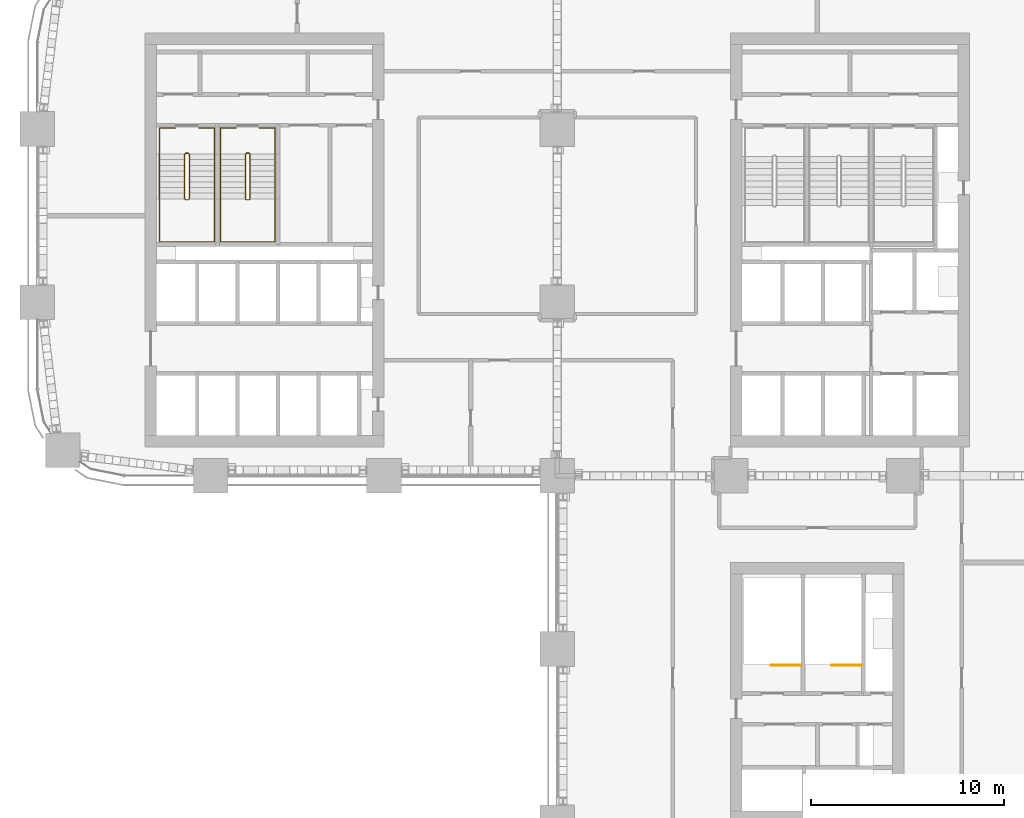
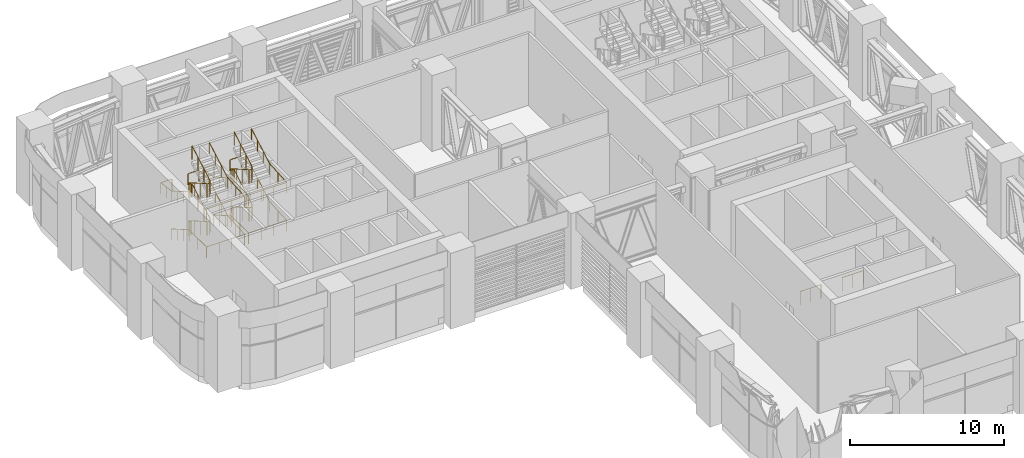
# One storey, part 22 of 24: 8 railings.
"""IFC4 building model written with IfcOpenShell, lengths in metres."""

from ifc_helpers import new_model, si_unit, direction, frame, origin, origin_2d, place, context, subcontext, project, spatial, circle, extrude, material, type_object, element, save


model = new_model("IFC4")

# Units and contexts
model_context = context("Model", 3, precision=1e-05, world=origin(), true_north=direction((0.0, 1.0)))
body_context = subcontext(model_context, "Body", "Model", "MODEL_VIEW")
ifc_project = project(units=[si_unit("LENGTHUNIT", "METRE"), si_unit("AREAUNIT", "SQUARE_METRE"), si_unit("VOLUMEUNIT", "CUBIC_METRE"), si_unit("PLANEANGLEUNIT", "RADIAN"), si_unit("MASSUNIT", "GRAM", prefix="KILO")], contexts=[model_context])

# Site, building, storey
site_placement = place(None, origin())
site = spatial("IfcSite", under=ifc_project, at=site_placement, CompositionType="ELEMENT")
building_placement = place(site_placement, origin())
building = spatial("IfcBuilding", under=site, at=building_placement, Name="Tessera Arch", CompositionType="ELEMENT")
storey_placement = place(building_placement, frame((0.0, 0.0, 123.39990234375)))
storey = spatial("IfcBuildingStorey", under=building, at=storey_placement, Name="L29", CompositionType="ELEMENT", Elevation=123.39990234375)

# Railings
ifc_material_1 = material(Name="Painted steel balustrade", Category="steel")
railing_type_1 = type_object("IfcRailingType", Name="Stair guard 1100", PredefinedType="GUARDRAIL", material=ifc_material_1)
railing_1_placement = place(storey_placement, frame((7.699951171875, 43.75, 0.0)))
element("IfcRailing", 1, at=railing_1_placement, inside=storey, type_object=railing_type_1, Name="L29 S2a stair guard 1", PredefinedType="GUARDRAIL", context=body_context, shape_type="SweptSolid", body=[
    extrude(circle(Radius=0.02392578125, at=origin_2d()), frame((-0.00390625, 0.0, 1.076171875), z_axis=(1.0, 0.0, 0.0), x_axis=(0.0, 1.0, 0.0)), (0.0, 0.0, 1.0), 0.158203125),
    extrude(circle(Radius=0.02392578125, at=origin_2d()), frame((0.153076171875, 0.000732421875, 1.073486328125), z_axis=(-0.75457900375, -0.188644750937, 0.628509097026), x_axis=(0.242535625036, -0.970142500145, 0.0)), (0.0, 0.0, 1.0), 0.273193359375),
    extrude(circle(Radius=0.02392578125, at=origin_2d()), frame((-0.050048828125, -0.046630859375, 1.24072265625), z_axis=(0.0, -0.867033425039, 0.498249977285), x_axis=(1.0, 0.0, 0.0)), (0.0, 0.0, 1.0), 2.683837890625),
    extrude(circle(Radius=0.02392578125, at=origin_2d()), frame((-0.052978515625, -2.3671875, 2.576171875), z_axis=(0.708833529934, -0.705375805398, 0.0), x_axis=(0.705375805398, 0.708833529934, 0.0)), (0.0, 0.0, 1.0), 0.07861328125),
    extrude(circle(Radius=0.02392578125, at=origin_2d()), frame((-0.00390625, -2.419921875, 2.576171875), z_axis=(1.0, 0.0, 0.0), x_axis=(0.0, 1.0, 0.0)), (0.0, 0.0, 1.0), 0.158203125),
    extrude(circle(Radius=0.02392578125, at=origin_2d()), frame((0.14892578125, -2.421142578125, 2.572265625), z_axis=(0.275143339093, 0.275143339093, 0.92119068922), x_axis=(-0.707106781187, 0.707106781187, 0.0)), (0.0, 0.0, 1.0), 0.18896484375),
    extrude(circle(Radius=0.02392578125, at=origin_2d()), frame((0.199951171875, -2.37353515625, 2.74072265625), z_axis=(0.0, 0.867033425039, 0.498249977285), x_axis=(-1.0, 0.0, 0.0)), (0.0, 0.0, 1.0), 2.683837890625),
    extrude(circle(Radius=0.02392578125, at=origin_2d()), frame((0.203857421875, -0.051025390625, 4.076171875), z_axis=(-0.970072785993, 0.242814311512, 0.0), x_axis=(-0.242814311512, -0.970072785993, 0.0)), (0.0, 0.0, 1.0), 0.214111328125),
    extrude(circle(Radius=0.02392578125, at=origin_2d()), frame((-0.00390625, 0.0, 4.076171875), z_axis=(1.0, 0.0, 0.0), x_axis=(0.0, 1.0, 0.0)), (0.0, 0.0, 1.0), 0.158203125),
    extrude(circle(Radius=0.02392578125, at=origin_2d()), frame((0.153076171875, 0.000732421875, 4.073486328125), z_axis=(-0.75457900375, -0.188644750937, 0.628509097026), x_axis=(0.242535625036, -0.970142500145, 0.0)), (0.0, 0.0, 1.0), 0.273193359375),
    extrude(circle(Radius=0.02392578125, at=origin_2d()), frame((-0.050048828125, -0.046630859375, 4.24072265625), z_axis=(0.0, -0.867033425039, 0.498249977285), x_axis=(1.0, 0.0, 0.0)), (0.0, 0.0, 1.0), 2.683837890625),
    extrude(circle(Radius=0.02392578125, at=origin_2d()), frame((-0.052978515625, -2.3671875, 5.576171875), z_axis=(0.708833529934, -0.705375805398, 0.0), x_axis=(0.705375805398, 0.708833529934, 0.0)), (0.0, 0.0, 1.0), 0.07861328125),
    extrude(circle(Radius=0.02392578125, at=origin_2d()), frame((-0.00390625, -2.419921875, 5.576171875), z_axis=(1.0, 0.0, 0.0), x_axis=(0.0, 1.0, 0.0)), (0.0, 0.0, 1.0), 0.158203125),
    extrude(circle(Radius=0.02392578125, at=origin_2d()), frame((0.14892578125, -2.421142578125, 5.572265625), z_axis=(0.275143339093, 0.275143339093, 0.92119068922), x_axis=(-0.707106781187, 0.707106781187, 0.0)), (0.0, 0.0, 1.0), 0.18896484375),
    extrude(circle(Radius=0.02392578125, at=origin_2d()), frame((0.199951171875, -2.37353515625, 5.74072265625), z_axis=(0.0, 0.867033425039, 0.498249977285), x_axis=(-1.0, 0.0, 0.0)), (0.0, 0.0, 1.0), 2.683837890625),
    extrude(circle(Radius=0.02099609375, at=origin_2d()), origin(), (0.0, 0.0, 1.0), 1.06396484375),
    extrude(circle(Radius=0.02099609375, at=origin_2d()), frame((0.150146484375, 0.0, 0.0)), (0.0, 0.0, 1.0), 1.06396484375),
    extrude(circle(Radius=0.02099609375, at=origin_2d()), frame((-0.050048828125, -0.050048828125, 0.166748046875)), (0.0, 0.0, 1.0), 1.06396484375),
    extrude(circle(Radius=0.02099609375, at=origin_2d()), frame((-0.050048828125, -0.823486328125, 0.611083984375)), (0.0, 0.0, 1.0), 1.06396484375),
    extrude(circle(Radius=0.02099609375, at=origin_2d()), frame((-0.050048828125, -1.5966796875, 1.0556640625)), (0.0, 0.0, 1.0), 1.06396484375),
    extrude(circle(Radius=0.02099609375, at=origin_2d()), frame((-0.050048828125, -2.3701171875, 1.5)), (0.0, 0.0, 1.0), 1.06396484375),
    extrude(circle(Radius=0.02099609375, at=origin_2d()), frame((0.0, -2.419921875, 1.5)), (0.0, 0.0, 1.0), 1.06396484375),
    extrude(circle(Radius=0.02099609375, at=origin_2d()), frame((0.150146484375, -2.419921875, 1.5)), (0.0, 0.0, 1.0), 1.06396484375),
    extrude(circle(Radius=0.02099609375, at=origin_2d()), frame((0.199951171875, -2.3701171875, 1.666748046875)), (0.0, 0.0, 1.0), 1.06396484375),
    extrude(circle(Radius=0.02099609375, at=origin_2d()), frame((0.199951171875, -1.5966796875, 2.111083984375)), (0.0, 0.0, 1.0), 1.06396484375),
    extrude(circle(Radius=0.02099609375, at=origin_2d()), frame((0.199951171875, -0.823486328125, 2.5556640625)), (0.0, 0.0, 1.0), 1.06396484375),
    extrude(circle(Radius=0.02099609375, at=origin_2d()), frame((0.199951171875, -0.050048828125, 3.0)), (0.0, 0.0, 1.0), 1.06396484375),
    extrude(circle(Radius=0.02099609375, at=origin_2d()), frame((0.0, 0.0, 3.0)), (0.0, 0.0, 1.0), 1.06396484375),
    extrude(circle(Radius=0.02099609375, at=origin_2d()), frame((0.150146484375, 0.0, 3.0)), (0.0, 0.0, 1.0), 1.06396484375),
    extrude(circle(Radius=0.02099609375, at=origin_2d()), frame((-0.050048828125, -0.050048828125, 3.166748046875)), (0.0, 0.0, 1.0), 1.06396484375),
    extrude(circle(Radius=0.02099609375, at=origin_2d()), frame((-0.050048828125, -0.823486328125, 3.611083984375)), (0.0, 0.0, 1.0), 1.06396484375),
    extrude(circle(Radius=0.02099609375, at=origin_2d()), frame((-0.050048828125, -1.5966796875, 4.0556640625)), (0.0, 0.0, 1.0), 1.06396484375),
    extrude(circle(Radius=0.02099609375, at=origin_2d()), frame((-0.050048828125, -2.3701171875, 4.5)), (0.0, 0.0, 1.0), 1.06396484375),
    extrude(circle(Radius=0.02099609375, at=origin_2d()), frame((0.0, -2.419921875, 4.5)), (0.0, 0.0, 1.0), 1.06396484375),
    extrude(circle(Radius=0.02099609375, at=origin_2d()), frame((0.150146484375, -2.419921875, 4.5)), (0.0, 0.0, 1.0), 1.06396484375),
    extrude(circle(Radius=0.02099609375, at=origin_2d()), frame((0.199951171875, -2.3701171875, 4.666748046875)), (0.0, 0.0, 1.0), 1.06396484375),
    extrude(circle(Radius=0.02099609375, at=origin_2d()), frame((0.199951171875, -1.5966796875, 5.111083984375)), (0.0, 0.0, 1.0), 1.06396484375),
    extrude(circle(Radius=0.02099609375, at=origin_2d()), frame((0.199951171875, -0.823486328125, 5.5556640625)), (0.0, 0.0, 1.0), 1.06396484375),
    extrude(circle(Radius=0.02099609375, at=origin_2d()), frame((0.199951171875, -0.050048828125, 6.0)), (0.0, 0.0, 1.0), 1.06396484375),
])
railing_2_placement = place(storey_placement, frame((10.85009765625, 43.75, 0.0)))
element("IfcRailing", 2, at=railing_2_placement, inside=storey, type_object=railing_type_1, Name="L29 S2b stair guard 1", PredefinedType="GUARDRAIL", context=body_context, shape_type="SweptSolid", body=[
    extrude(circle(Radius=0.02392578125, at=origin_2d()), frame((-0.00390625, 0.0, 1.076171875), z_axis=(1.0, 0.0, 0.0), x_axis=(0.0, 1.0, 0.0)), (0.0, 0.0, 1.0), 0.157958984375),
    extrude(circle(Radius=0.02392578125, at=origin_2d()), frame((0.15283203125, 0.000732421875, 1.073486328125), z_axis=(-0.754182335027, -0.188775798145, 0.628945707965), x_axis=(0.242814311512, -0.970072785993, 0.0)), (0.0, 0.0, 1.0), 0.273193359375),
    extrude(circle(Radius=0.02392578125, at=origin_2d()), frame((-0.050048828125, -0.046630859375, 1.24072265625), z_axis=(0.0, -0.867033425039, 0.498249977285), x_axis=(1.0, 0.0, 0.0)), (0.0, 0.0, 1.0), 2.683837890625),
    extrude(circle(Radius=0.02392578125, at=origin_2d()), frame((-0.052978515625, -2.3671875, 2.576171875), z_axis=(0.708833529934, -0.705375805398, 0.0), x_axis=(0.705375805398, 0.708833529934, 0.0)), (0.0, 0.0, 1.0), 0.07861328125),
    extrude(circle(Radius=0.02392578125, at=origin_2d()), frame((-0.00390625, -2.419921875, 2.576171875), z_axis=(1.0, 0.0, 0.0), x_axis=(0.0, 1.0, 0.0)), (0.0, 0.0, 1.0), 0.157958984375),
    extrude(circle(Radius=0.02392578125, at=origin_2d()), frame((0.148681640625, -2.421142578125, 2.572265625), z_axis=(0.276389281352, 0.275041040955, 0.920848191041), x_axis=(-0.705375805398, 0.708833529934, 0.0)), (0.0, 0.0, 1.0), 0.18896484375),
    extrude(circle(Radius=0.02392578125, at=origin_2d()), frame((0.199951171875, -2.37353515625, 2.74072265625), z_axis=(0.0, 0.867033425039, 0.498249977285), x_axis=(-1.0, 0.0, 0.0)), (0.0, 0.0, 1.0), 2.683837890625),
    extrude(circle(Radius=0.02392578125, at=origin_2d()), frame((0.203857421875, -0.051025390625, 4.076171875), z_axis=(-0.970072785993, 0.242814311512, 0.0), x_axis=(-0.242814311512, -0.970072785993, 0.0)), (0.0, 0.0, 1.0), 0.214111328125),
    extrude(circle(Radius=0.02392578125, at=origin_2d()), frame((-0.00390625, 0.0, 4.076171875), z_axis=(1.0, 0.0, 0.0), x_axis=(0.0, 1.0, 0.0)), (0.0, 0.0, 1.0), 0.157958984375),
    extrude(circle(Radius=0.02392578125, at=origin_2d()), frame((0.15283203125, 0.000732421875, 4.073486328125), z_axis=(-0.754182335027, -0.188775798145, 0.628945707965), x_axis=(0.242814311512, -0.970072785993, 0.0)), (0.0, 0.0, 1.0), 0.273193359375),
    extrude(circle(Radius=0.02392578125, at=origin_2d()), frame((-0.050048828125, -0.046630859375, 4.24072265625), z_axis=(0.0, -0.867033425039, 0.498249977285), x_axis=(1.0, 0.0, 0.0)), (0.0, 0.0, 1.0), 2.683837890625),
    extrude(circle(Radius=0.02392578125, at=origin_2d()), frame((-0.052978515625, -2.3671875, 5.576171875), z_axis=(0.708833529934, -0.705375805398, 0.0), x_axis=(0.705375805398, 0.708833529934, 0.0)), (0.0, 0.0, 1.0), 0.07861328125),
    extrude(circle(Radius=0.02392578125, at=origin_2d()), frame((-0.00390625, -2.419921875, 5.576171875), z_axis=(1.0, 0.0, 0.0), x_axis=(0.0, 1.0, 0.0)), (0.0, 0.0, 1.0), 0.157958984375),
    extrude(circle(Radius=0.02392578125, at=origin_2d()), frame((0.148681640625, -2.421142578125, 5.572265625), z_axis=(0.276389281352, 0.275041040955, 0.920848191041), x_axis=(-0.705375805398, 0.708833529934, 0.0)), (0.0, 0.0, 1.0), 0.18896484375),
    extrude(circle(Radius=0.02392578125, at=origin_2d()), frame((0.199951171875, -2.37353515625, 5.74072265625), z_axis=(0.0, 0.867033425039, 0.498249977285), x_axis=(-1.0, 0.0, 0.0)), (0.0, 0.0, 1.0), 2.683837890625),
    extrude(circle(Radius=0.02099609375, at=origin_2d()), origin(), (0.0, 0.0, 1.0), 1.06396484375),
    extrude(circle(Radius=0.02099609375, at=origin_2d()), frame((0.14990234375, 0.0, 0.0)), (0.0, 0.0, 1.0), 1.06396484375),
    extrude(circle(Radius=0.02099609375, at=origin_2d()), frame((-0.050048828125, -0.050048828125, 0.166748046875)), (0.0, 0.0, 1.0), 1.06396484375),
    extrude(circle(Radius=0.02099609375, at=origin_2d()), frame((-0.050048828125, -0.823486328125, 0.611083984375)), (0.0, 0.0, 1.0), 1.06396484375),
    extrude(circle(Radius=0.02099609375, at=origin_2d()), frame((-0.050048828125, -1.5966796875, 1.0556640625)), (0.0, 0.0, 1.0), 1.06396484375),
    extrude(circle(Radius=0.02099609375, at=origin_2d()), frame((-0.050048828125, -2.3701171875, 1.5)), (0.0, 0.0, 1.0), 1.06396484375),
    extrude(circle(Radius=0.02099609375, at=origin_2d()), frame((0.0, -2.419921875, 1.5)), (0.0, 0.0, 1.0), 1.06396484375),
    extrude(circle(Radius=0.02099609375, at=origin_2d()), frame((0.14990234375, -2.419921875, 1.5)), (0.0, 0.0, 1.0), 1.06396484375),
    extrude(circle(Radius=0.02099609375, at=origin_2d()), frame((0.199951171875, -2.3701171875, 1.666748046875)), (0.0, 0.0, 1.0), 1.06396484375),
    extrude(circle(Radius=0.02099609375, at=origin_2d()), frame((0.199951171875, -1.5966796875, 2.111083984375)), (0.0, 0.0, 1.0), 1.06396484375),
    extrude(circle(Radius=0.02099609375, at=origin_2d()), frame((0.199951171875, -0.823486328125, 2.5556640625)), (0.0, 0.0, 1.0), 1.06396484375),
    extrude(circle(Radius=0.02099609375, at=origin_2d()), frame((0.199951171875, -0.050048828125, 3.0)), (0.0, 0.0, 1.0), 1.06396484375),
    extrude(circle(Radius=0.02099609375, at=origin_2d()), frame((0.0, 0.0, 3.0)), (0.0, 0.0, 1.0), 1.06396484375),
    extrude(circle(Radius=0.02099609375, at=origin_2d()), frame((0.14990234375, 0.0, 3.0)), (0.0, 0.0, 1.0), 1.06396484375),
    extrude(circle(Radius=0.02099609375, at=origin_2d()), frame((-0.050048828125, -0.050048828125, 3.166748046875)), (0.0, 0.0, 1.0), 1.06396484375),
    extrude(circle(Radius=0.02099609375, at=origin_2d()), frame((-0.050048828125, -0.823486328125, 3.611083984375)), (0.0, 0.0, 1.0), 1.06396484375),
    extrude(circle(Radius=0.02099609375, at=origin_2d()), frame((-0.050048828125, -1.5966796875, 4.0556640625)), (0.0, 0.0, 1.0), 1.06396484375),
    extrude(circle(Radius=0.02099609375, at=origin_2d()), frame((-0.050048828125, -2.3701171875, 4.5)), (0.0, 0.0, 1.0), 1.06396484375),
    extrude(circle(Radius=0.02099609375, at=origin_2d()), frame((0.0, -2.419921875, 4.5)), (0.0, 0.0, 1.0), 1.06396484375),
    extrude(circle(Radius=0.02099609375, at=origin_2d()), frame((0.14990234375, -2.419921875, 4.5)), (0.0, 0.0, 1.0), 1.06396484375),
    extrude(circle(Radius=0.02099609375, at=origin_2d()), frame((0.199951171875, -2.3701171875, 4.666748046875)), (0.0, 0.0, 1.0), 1.06396484375),
    extrude(circle(Radius=0.02099609375, at=origin_2d()), frame((0.199951171875, -1.5966796875, 5.111083984375)), (0.0, 0.0, 1.0), 1.06396484375),
    extrude(circle(Radius=0.02099609375, at=origin_2d()), frame((0.199951171875, -0.823486328125, 5.5556640625)), (0.0, 0.0, 1.0), 1.06396484375),
    extrude(circle(Radius=0.02099609375, at=origin_2d()), frame((0.199951171875, -0.050048828125, 6.0)), (0.0, 0.0, 1.0), 1.06396484375),
])
railing_3_placement = place(storey_placement, frame((39.64990234375, 17.14990234375, 0.0)))
element("IfcRailing", 3, at=railing_3_placement, inside=storey, type_object=railing_type_1, Name="L29 S3a top well guard 1", PredefinedType="GUARDRAIL", context=body_context, shape_type="SweptSolid", body=[
    extrude(circle(Radius=0.02392578125, at=origin_2d()), frame((0.00390625, 0.0, 1.076171875), z_axis=(-1.0, 0.0, 0.0), x_axis=(0.0, -1.0, 0.0)), (0.0, 0.0, 1.0), 1.557861328125),
    extrude(circle(Radius=0.02099609375, at=origin_2d()), origin(), (0.0, 0.0, 1.0), 1.06396484375),
    extrude(circle(Radius=0.02099609375, at=origin_2d()), frame((-0.77490234375, 0.0, 0.0)), (0.0, 0.0, 1.0), 1.06396484375),
    extrude(circle(Radius=0.02099609375, at=origin_2d()), frame((-1.5498046875, 0.0, 0.0)), (0.0, 0.0, 1.0), 1.06396484375),
])
railing_4_placement = place(storey_placement, frame((42.800048828125, 17.14990234375, 0.0)))
element("IfcRailing", 4, at=railing_4_placement, inside=storey, type_object=railing_type_1, Name="L29 S3b top well guard 1", PredefinedType="GUARDRAIL", context=body_context, shape_type="SweptSolid", body=[
    extrude(circle(Radius=0.02392578125, at=origin_2d()), frame((0.00390625, 0.0, 1.076171875), z_axis=(-1.0, 0.0, 0.0), x_axis=(0.0, -1.0, 0.0)), (0.0, 0.0, 1.0), 1.55810546875),
    extrude(circle(Radius=0.02099609375, at=origin_2d()), origin(), (0.0, 0.0, 1.0), 1.06396484375),
    extrude(circle(Radius=0.02099609375, at=origin_2d()), frame((-0.77490234375, 0.0, 0.0)), (0.0, 0.0, 1.0), 1.06396484375),
    extrude(circle(Radius=0.02099609375, at=origin_2d()), frame((-1.550048828125, 0.0, 0.0)), (0.0, 0.0, 1.0), 1.06396484375),
])
ifc_material_2 = material(Name="Painted steel handrail", Category="steel")
railing_type_2 = type_object("IfcRailingType", Name="Stair handrail 900", PredefinedType="HANDRAIL", material=ifc_material_2)
railing_5_placement = place(storey_placement, frame((6.35009765625, 43.699951171875, 0.166748046875)))
element("IfcRailing", 5, at=railing_5_placement, inside=storey, type_object=railing_type_2, Name="L29 S2a stair handrail", PredefinedType="HANDRAIL", context=body_context, shape_type="SweptSolid", body=[
    extrude(circle(Radius=0.02392578125, at=origin_2d()), frame((0.0, 0.00341796875, 0.873779296875), z_axis=(0.0, -0.867033425039, 0.498249977285), x_axis=(1.0, 0.0, 0.0)), (0.0, 0.0, 1.0), 2.683837890625),
    extrude(circle(Radius=0.02392578125, at=origin_2d()), frame((0.0, -2.316162109375, 2.208984375), z_axis=(0.0, -1.0, 0.0), x_axis=(1.0, 0.0, 0.0)), (0.0, 0.0, 1.0), 2.238037109375),
    extrude(circle(Radius=0.02392578125, at=origin_2d()), frame((-0.00390625, -4.550048828125, 2.208984375), z_axis=(1.0, 0.0, 0.0), x_axis=(0.0, 1.0, 0.0)), (0.0, 0.0, 1.0), 2.85791015625),
    extrude(circle(Radius=0.02392578125, at=origin_2d()), frame((2.849853515625, -4.553955078125, 2.208740234375), z_axis=(0.0, 0.997215977011, 0.074567386939), x_axis=(-1.0, 0.0, 0.0)), (0.0, 0.0, 1.0), 2.244140625),
    extrude(circle(Radius=0.02392578125, at=origin_2d()), frame((2.849853515625, -2.323486328125, 2.373779296875), z_axis=(0.0, 0.867033425039, 0.498249977285), x_axis=(-1.0, 0.0, 0.0)), (0.0, 0.0, 1.0), 2.683837890625),
    extrude(circle(Radius=0.02392578125, at=origin_2d()), frame((2.849853515625, -0.00390625, 3.708984375), z_axis=(0.0, 1.0, 0.0), x_axis=(-1.0, 0.0, 0.0)), (0.0, 0.0, 1.0), 1.358154296875),
    extrude(circle(Radius=0.02392578125, at=origin_2d()), frame((2.853759765625, 1.35009765625, 3.708984375), z_axis=(-1.0, 0.0, 0.0), x_axis=(0.0, -1.0, 0.0)), (0.0, 0.0, 1.0), 0.8330078125),
    extrude(circle(Radius=0.02099609375, at=origin_2d()), origin(), (0.0, 0.0, 1.0), 0.86376953125),
    extrude(circle(Radius=0.02099609375, at=origin_2d()), frame((0.0, -0.7734375, 0.4443359375)), (0.0, 0.0, 1.0), 0.86376953125),
    extrude(circle(Radius=0.02099609375, at=origin_2d()), frame((0.0, -1.546630859375, 0.888916015625)), (0.0, 0.0, 1.0), 0.86376953125),
    extrude(circle(Radius=0.02099609375, at=origin_2d()), frame((0.0, -2.320068359375, 1.333251953125)), (0.0, 0.0, 1.0), 0.86376953125),
    extrude(circle(Radius=0.02099609375, at=origin_2d()), frame((0.0, -3.43505859375, 1.333251953125)), (0.0, 0.0, 1.0), 0.86376953125),
    extrude(circle(Radius=0.02099609375, at=origin_2d()), frame((0.0, -4.550048828125, 1.333251953125)), (0.0, 0.0, 1.0), 0.86376953125),
    extrude(circle(Radius=0.02099609375, at=origin_2d()), frame((0.949951171875, -4.550048828125, 1.333251953125)), (0.0, 0.0, 1.0), 0.86376953125),
    extrude(circle(Radius=0.02099609375, at=origin_2d()), frame((1.89990234375, -4.550048828125, 1.333251953125)), (0.0, 0.0, 1.0), 0.86376953125),
    extrude(circle(Radius=0.02099609375, at=origin_2d()), frame((2.849853515625, -4.550048828125, 1.333251953125)), (0.0, 0.0, 1.0), 0.86376953125),
    extrude(circle(Radius=0.02099609375, at=origin_2d()), frame((2.849853515625, -3.43505859375, 1.41650390625)), (0.0, 0.0, 1.0), 0.86376953125),
    extrude(circle(Radius=0.02099609375, at=origin_2d()), frame((2.849853515625, -2.320068359375, 1.5)), (0.0, 0.0, 1.0), 0.86376953125),
    extrude(circle(Radius=0.02099609375, at=origin_2d()), frame((2.849853515625, -1.546630859375, 1.9443359375)), (0.0, 0.0, 1.0), 0.86376953125),
    extrude(circle(Radius=0.02099609375, at=origin_2d()), frame((2.849853515625, -0.7734375, 2.388916015625)), (0.0, 0.0, 1.0), 0.86376953125),
    extrude(circle(Radius=0.02099609375, at=origin_2d()), frame((2.849853515625, 0.0, 2.833251953125)), (0.0, 0.0, 1.0), 0.86376953125),
    extrude(circle(Radius=0.02099609375, at=origin_2d()), frame((2.849853515625, 0.675048828125, 2.833251953125)), (0.0, 0.0, 1.0), 0.86376953125),
    extrude(circle(Radius=0.02099609375, at=origin_2d()), frame((2.849853515625, 1.35009765625, 2.833251953125)), (0.0, 0.0, 1.0), 0.86376953125),
    extrude(circle(Radius=0.02099609375, at=origin_2d()), frame((2.02490234375, 1.35009765625, 2.833251953125)), (0.0, 0.0, 1.0), 0.86376953125),
])
railing_6_placement = place(storey_placement, frame((7.175048828125, 45.050048828125, 3.0)))
element("IfcRailing", 6, at=railing_6_placement, inside=storey, type_object=railing_type_2, Name="L29 S2a stair handrail 2", PredefinedType="HANDRAIL", context=body_context, shape_type="SweptSolid", body=[
    extrude(circle(Radius=0.02392578125, at=origin_2d()), frame((0.00390625, 0.0, 0.8759765625), z_axis=(-1.0, 0.0, 0.0), x_axis=(0.0, -1.0, 0.0)), (0.0, 0.0, 1.0), 0.8330078125),
    extrude(circle(Radius=0.02392578125, at=origin_2d()), frame((-0.824951171875, 0.00390625, 0.875244140625), z_axis=(0.0, -0.992459035033, 0.122576766895), x_axis=(1.0, 0.0, 0.0)), (0.0, 0.0, 1.0), 1.368408203125),
    extrude(circle(Radius=0.02392578125, at=origin_2d()), frame((-0.824951171875, -1.3466796875, 1.04052734375), z_axis=(0.0, -0.867033425039, 0.498249977285), x_axis=(1.0, 0.0, 0.0)), (0.0, 0.0, 1.0), 2.683837890625),
    extrude(circle(Radius=0.02392578125, at=origin_2d()), frame((-0.824951171875, -3.666259765625, 2.3759765625), z_axis=(0.0, -1.0, 0.0), x_axis=(1.0, 0.0, 0.0)), (0.0, 0.0, 1.0), 2.238037109375),
    extrude(circle(Radius=0.02392578125, at=origin_2d()), frame((-0.828857421875, -5.900146484375, 2.3759765625), z_axis=(1.0, 0.0, 0.0), x_axis=(0.0, 1.0, 0.0)), (0.0, 0.0, 1.0), 2.85791015625),
    extrude(circle(Radius=0.02392578125, at=origin_2d()), frame((2.02490234375, -5.904052734375, 2.37548828125), z_axis=(0.0, 0.997215977011, 0.074567386939), x_axis=(-1.0, 0.0, 0.0)), (0.0, 0.0, 1.0), 2.244140625),
    extrude(circle(Radius=0.02392578125, at=origin_2d()), frame((2.02490234375, -3.673583984375, 2.54052734375), z_axis=(0.0, 0.867033425039, 0.498249977285), x_axis=(-1.0, 0.0, 0.0)), (0.0, 0.0, 1.0), 2.683837890625),
    extrude(circle(Radius=0.02099609375, at=origin_2d()), origin(), (0.0, 0.0, 1.0), 0.86376953125),
    extrude(circle(Radius=0.02099609375, at=origin_2d()), frame((-0.824951171875, 0.0, 0.0)), (0.0, 0.0, 1.0), 0.86376953125),
    extrude(circle(Radius=0.02099609375, at=origin_2d()), frame((-0.824951171875, -0.675048828125, 0.08349609375)), (0.0, 0.0, 1.0), 0.86376953125),
    extrude(circle(Radius=0.02099609375, at=origin_2d()), frame((-0.824951171875, -1.35009765625, 0.166748046875)), (0.0, 0.0, 1.0), 0.86376953125),
    extrude(circle(Radius=0.02099609375, at=origin_2d()), frame((-0.824951171875, -2.12353515625, 0.611083984375)), (0.0, 0.0, 1.0), 0.86376953125),
    extrude(circle(Radius=0.02099609375, at=origin_2d()), frame((-0.824951171875, -2.896728515625, 1.0556640625)), (0.0, 0.0, 1.0), 0.86376953125),
    extrude(circle(Radius=0.02099609375, at=origin_2d()), frame((-0.824951171875, -3.670166015625, 1.5)), (0.0, 0.0, 1.0), 0.86376953125),
    extrude(circle(Radius=0.02099609375, at=origin_2d()), frame((-0.824951171875, -4.78515625, 1.5)), (0.0, 0.0, 1.0), 0.86376953125),
    extrude(circle(Radius=0.02099609375, at=origin_2d()), frame((-0.824951171875, -5.900146484375, 1.5)), (0.0, 0.0, 1.0), 0.86376953125),
    extrude(circle(Radius=0.02099609375, at=origin_2d()), frame((0.125, -5.900146484375, 1.5)), (0.0, 0.0, 1.0), 0.86376953125),
    extrude(circle(Radius=0.02099609375, at=origin_2d()), frame((1.074951171875, -5.900146484375, 1.5)), (0.0, 0.0, 1.0), 0.86376953125),
    extrude(circle(Radius=0.02099609375, at=origin_2d()), frame((2.02490234375, -5.900146484375, 1.5)), (0.0, 0.0, 1.0), 0.86376953125),
    extrude(circle(Radius=0.02099609375, at=origin_2d()), frame((2.02490234375, -4.78515625, 1.58349609375)), (0.0, 0.0, 1.0), 0.86376953125),
    extrude(circle(Radius=0.02099609375, at=origin_2d()), frame((2.02490234375, -3.670166015625, 1.666748046875)), (0.0, 0.0, 1.0), 0.86376953125),
    extrude(circle(Radius=0.02099609375, at=origin_2d()), frame((2.02490234375, -2.896728515625, 2.111083984375)), (0.0, 0.0, 1.0), 0.86376953125),
    extrude(circle(Radius=0.02099609375, at=origin_2d()), frame((2.02490234375, -2.12353515625, 2.5556640625)), (0.0, 0.0, 1.0), 0.86376953125),
    extrude(circle(Radius=0.02099609375, at=origin_2d()), frame((2.02490234375, -1.35009765625, 3.0)), (0.0, 0.0, 1.0), 0.86376953125),
])
railing_7_placement = place(storey_placement, frame((9.5, 43.699951171875, 0.166748046875)))
element("IfcRailing", 7, at=railing_7_placement, inside=storey, type_object=railing_type_2, Name="L29 S2b stair handrail", PredefinedType="HANDRAIL", context=body_context, shape_type="SweptSolid", body=[
    extrude(circle(Radius=0.02392578125, at=origin_2d()), frame((0.0, 0.00341796875, 0.873779296875), z_axis=(0.0, -0.867033425039, 0.498249977285), x_axis=(1.0, 0.0, 0.0)), (0.0, 0.0, 1.0), 2.683837890625),
    extrude(circle(Radius=0.02392578125, at=origin_2d()), frame((0.0, -2.316162109375, 2.208984375), z_axis=(0.0, -1.0, 0.0), x_axis=(1.0, 0.0, 0.0)), (0.0, 0.0, 1.0), 2.238037109375),
    extrude(circle(Radius=0.02392578125, at=origin_2d()), frame((-0.00390625, -4.550048828125, 2.208984375), z_axis=(1.0, 0.0, 0.0), x_axis=(0.0, 1.0, 0.0)), (0.0, 0.0, 1.0), 2.858154296875),
    extrude(circle(Radius=0.02392578125, at=origin_2d()), frame((2.85009765625, -4.553955078125, 2.208740234375), z_axis=(0.0, 0.997215977011, 0.074567386939), x_axis=(-1.0, 0.0, 0.0)), (0.0, 0.0, 1.0), 2.244140625),
    extrude(circle(Radius=0.02392578125, at=origin_2d()), frame((2.85009765625, -2.323486328125, 2.373779296875), z_axis=(0.0, 0.867033425039, 0.498249977285), x_axis=(-1.0, 0.0, 0.0)), (0.0, 0.0, 1.0), 2.683837890625),
    extrude(circle(Radius=0.02392578125, at=origin_2d()), frame((2.85009765625, -0.00390625, 3.708984375), z_axis=(0.0, 1.0, 0.0), x_axis=(-1.0, 0.0, 0.0)), (0.0, 0.0, 1.0), 1.358154296875),
    extrude(circle(Radius=0.02392578125, at=origin_2d()), frame((2.85400390625, 1.35009765625, 3.708984375), z_axis=(-1.0, 0.0, 0.0), x_axis=(0.0, -1.0, 0.0)), (0.0, 0.0, 1.0), 0.833251953125),
    extrude(circle(Radius=0.02099609375, at=origin_2d()), origin(), (0.0, 0.0, 1.0), 0.86376953125),
    extrude(circle(Radius=0.02099609375, at=origin_2d()), frame((0.0, -0.7734375, 0.4443359375)), (0.0, 0.0, 1.0), 0.86376953125),
    extrude(circle(Radius=0.02099609375, at=origin_2d()), frame((0.0, -1.546630859375, 0.888916015625)), (0.0, 0.0, 1.0), 0.86376953125),
    extrude(circle(Radius=0.02099609375, at=origin_2d()), frame((0.0, -2.320068359375, 1.333251953125)), (0.0, 0.0, 1.0), 0.86376953125),
    extrude(circle(Radius=0.02099609375, at=origin_2d()), frame((0.0, -3.43505859375, 1.333251953125)), (0.0, 0.0, 1.0), 0.86376953125),
    extrude(circle(Radius=0.02099609375, at=origin_2d()), frame((0.0, -4.550048828125, 1.333251953125)), (0.0, 0.0, 1.0), 0.86376953125),
    extrude(circle(Radius=0.02099609375, at=origin_2d()), frame((0.949951171875, -4.550048828125, 1.333251953125)), (0.0, 0.0, 1.0), 0.86376953125),
    extrude(circle(Radius=0.02099609375, at=origin_2d()), frame((1.900146484375, -4.550048828125, 1.333251953125)), (0.0, 0.0, 1.0), 0.86376953125),
    extrude(circle(Radius=0.02099609375, at=origin_2d()), frame((2.85009765625, -4.550048828125, 1.333251953125)), (0.0, 0.0, 1.0), 0.86376953125),
    extrude(circle(Radius=0.02099609375, at=origin_2d()), frame((2.85009765625, -3.43505859375, 1.41650390625)), (0.0, 0.0, 1.0), 0.86376953125),
    extrude(circle(Radius=0.02099609375, at=origin_2d()), frame((2.85009765625, -2.320068359375, 1.5)), (0.0, 0.0, 1.0), 0.86376953125),
    extrude(circle(Radius=0.02099609375, at=origin_2d()), frame((2.85009765625, -1.546630859375, 1.9443359375)), (0.0, 0.0, 1.0), 0.86376953125),
    extrude(circle(Radius=0.02099609375, at=origin_2d()), frame((2.85009765625, -0.7734375, 2.388916015625)), (0.0, 0.0, 1.0), 0.86376953125),
    extrude(circle(Radius=0.02099609375, at=origin_2d()), frame((2.85009765625, 0.0, 2.833251953125)), (0.0, 0.0, 1.0), 0.86376953125),
    extrude(circle(Radius=0.02099609375, at=origin_2d()), frame((2.85009765625, 0.675048828125, 2.833251953125)), (0.0, 0.0, 1.0), 0.86376953125),
    extrude(circle(Radius=0.02099609375, at=origin_2d()), frame((2.85009765625, 1.35009765625, 2.833251953125)), (0.0, 0.0, 1.0), 0.86376953125),
    extrude(circle(Radius=0.02099609375, at=origin_2d()), frame((2.02490234375, 1.35009765625, 2.833251953125)), (0.0, 0.0, 1.0), 0.86376953125),
])
railing_8_placement = place(storey_placement, frame((10.324951171875, 45.050048828125, 3.0)))
element("IfcRailing", 8, at=railing_8_placement, inside=storey, type_object=railing_type_2, Name="L29 S2b stair handrail 2", PredefinedType="HANDRAIL", context=body_context, shape_type="SweptSolid", body=[
    extrude(circle(Radius=0.02392578125, at=origin_2d()), frame((0.00390625, 0.0, 0.8759765625), z_axis=(-1.0, 0.0, 0.0), x_axis=(0.0, -1.0, 0.0)), (0.0, 0.0, 1.0), 0.8330078125),
    extrude(circle(Radius=0.02392578125, at=origin_2d()), frame((-0.824951171875, 0.00390625, 0.875244140625), z_axis=(0.0, -0.992459035033, 0.122576766895), x_axis=(1.0, 0.0, 0.0)), (0.0, 0.0, 1.0), 1.368408203125),
    extrude(circle(Radius=0.02392578125, at=origin_2d()), frame((-0.824951171875, -1.3466796875, 1.04052734375), z_axis=(0.0, -0.867033425039, 0.498249977285), x_axis=(1.0, 0.0, 0.0)), (0.0, 0.0, 1.0), 2.683837890625),
    extrude(circle(Radius=0.02392578125, at=origin_2d()), frame((-0.824951171875, -3.666259765625, 2.3759765625), z_axis=(0.0, -1.0, 0.0), x_axis=(1.0, 0.0, 0.0)), (0.0, 0.0, 1.0), 2.238037109375),
    extrude(circle(Radius=0.02392578125, at=origin_2d()), frame((-0.828857421875, -5.900146484375, 2.3759765625), z_axis=(1.0, 0.0, 0.0), x_axis=(0.0, 1.0, 0.0)), (0.0, 0.0, 1.0), 2.858154296875),
    extrude(circle(Radius=0.02392578125, at=origin_2d()), frame((2.025146484375, -5.904052734375, 2.37548828125), z_axis=(0.0, 0.997215977011, 0.074567386939), x_axis=(-1.0, 0.0, 0.0)), (0.0, 0.0, 1.0), 2.244140625),
    extrude(circle(Radius=0.02392578125, at=origin_2d()), frame((2.025146484375, -3.673583984375, 2.54052734375), z_axis=(0.0, 0.867033425039, 0.498249977285), x_axis=(-1.0, 0.0, 0.0)), (0.0, 0.0, 1.0), 2.683837890625),
    extrude(circle(Radius=0.02099609375, at=origin_2d()), origin(), (0.0, 0.0, 1.0), 0.86376953125),
    extrude(circle(Radius=0.02099609375, at=origin_2d()), frame((-0.824951171875, 0.0, 0.0)), (0.0, 0.0, 1.0), 0.86376953125),
    extrude(circle(Radius=0.02099609375, at=origin_2d()), frame((-0.824951171875, -0.675048828125, 0.08349609375)), (0.0, 0.0, 1.0), 0.86376953125),
    extrude(circle(Radius=0.02099609375, at=origin_2d()), frame((-0.824951171875, -1.35009765625, 0.166748046875)), (0.0, 0.0, 1.0), 0.86376953125),
    extrude(circle(Radius=0.02099609375, at=origin_2d()), frame((-0.824951171875, -2.12353515625, 0.611083984375)), (0.0, 0.0, 1.0), 0.86376953125),
    extrude(circle(Radius=0.02099609375, at=origin_2d()), frame((-0.824951171875, -2.896728515625, 1.0556640625)), (0.0, 0.0, 1.0), 0.86376953125),
    extrude(circle(Radius=0.02099609375, at=origin_2d()), frame((-0.824951171875, -3.670166015625, 1.5)), (0.0, 0.0, 1.0), 0.86376953125),
    extrude(circle(Radius=0.02099609375, at=origin_2d()), frame((-0.824951171875, -4.78515625, 1.5)), (0.0, 0.0, 1.0), 0.86376953125),
    extrude(circle(Radius=0.02099609375, at=origin_2d()), frame((-0.824951171875, -5.900146484375, 1.5)), (0.0, 0.0, 1.0), 0.86376953125),
    extrude(circle(Radius=0.02099609375, at=origin_2d()), frame((0.125, -5.900146484375, 1.5)), (0.0, 0.0, 1.0), 0.86376953125),
    extrude(circle(Radius=0.02099609375, at=origin_2d()), frame((1.0751953125, -5.900146484375, 1.5)), (0.0, 0.0, 1.0), 0.86376953125),
    extrude(circle(Radius=0.02099609375, at=origin_2d()), frame((2.025146484375, -5.900146484375, 1.5)), (0.0, 0.0, 1.0), 0.86376953125),
    extrude(circle(Radius=0.02099609375, at=origin_2d()), frame((2.025146484375, -4.78515625, 1.58349609375)), (0.0, 0.0, 1.0), 0.86376953125),
    extrude(circle(Radius=0.02099609375, at=origin_2d()), frame((2.025146484375, -3.670166015625, 1.666748046875)), (0.0, 0.0, 1.0), 0.86376953125),
    extrude(circle(Radius=0.02099609375, at=origin_2d()), frame((2.025146484375, -2.896728515625, 2.111083984375)), (0.0, 0.0, 1.0), 0.86376953125),
    extrude(circle(Radius=0.02099609375, at=origin_2d()), frame((2.025146484375, -2.12353515625, 2.5556640625)), (0.0, 0.0, 1.0), 0.86376953125),
    extrude(circle(Radius=0.02099609375, at=origin_2d()), frame((2.025146484375, -1.35009765625, 3.0)), (0.0, 0.0, 1.0), 0.86376953125),
])

save(model, "model.ifc")
